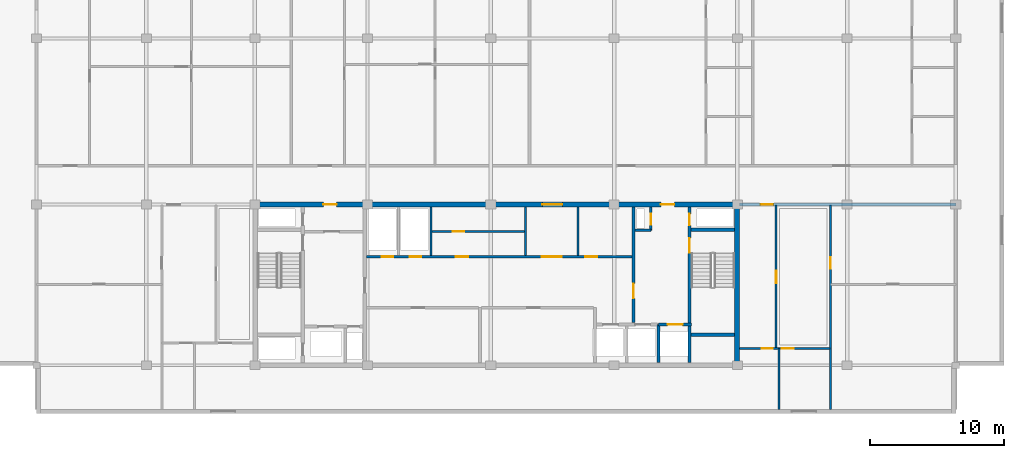
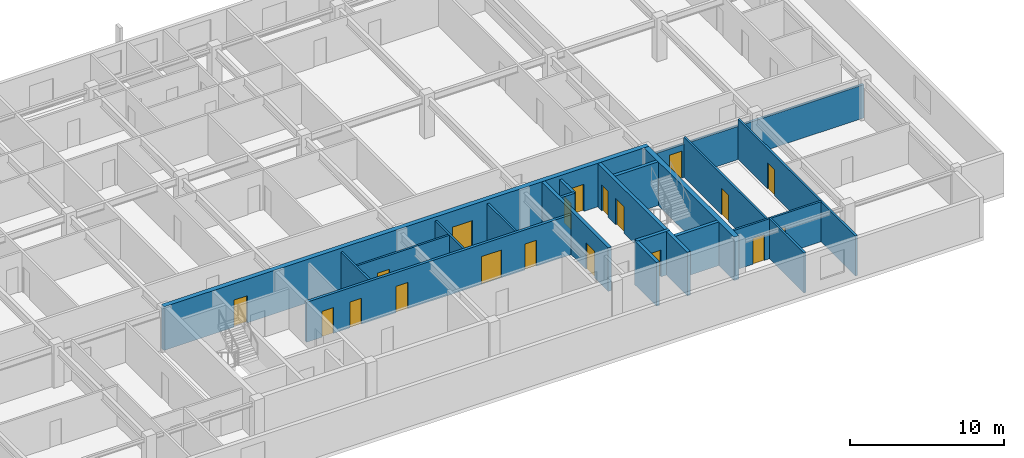
# One storey, part 5 of 11: 20 walls, 19 doors, 19 openings.
"""IFC4 building model written with IfcOpenShell, lengths in metres."""

from ifc_helpers import new_model, si_unit, direction, frame, frame_2d, origin, place, context, subcontext, project, spatial, rectangle, extrude, material, layer, layer_set, type_object, element, fill, save


model = new_model("IFC4")

# Units and contexts
model_context = context("Model", 3, precision=1e-05, world=origin(), true_north=direction((0.0, 1.0)))
body_context = subcontext(model_context, "Body", "Model", "MODEL_VIEW")
ifc_project = project(units=[si_unit("LENGTHUNIT", "METRE"), si_unit("AREAUNIT", "SQUARE_METRE"), si_unit("VOLUMEUNIT", "CUBIC_METRE"), si_unit("PLANEANGLEUNIT", "RADIAN"), si_unit("MASSUNIT", "GRAM", prefix="KILO")], contexts=[model_context])

# Site, building, storey
site_placement = place(None, origin())
site = spatial("IfcSite", under=ifc_project, at=site_placement, CompositionType="ELEMENT")
building_placement = place(site_placement, origin())
building = spatial("IfcBuilding", under=site, at=building_placement, Name="Korimba Cascade Residences", CompositionType="ELEMENT")
storey_placement = place(building_placement, frame((0.0, 0.0, 256.25)))
storey = spatial("IfcBuildingStorey", under=building, at=storey_placement, Name="L74", CompositionType="ELEMENT", Elevation=256.25)

# Wall
ifc_material_1 = material(Name="Concrete C65/80", Category="concrete")
ifc_layer_1 = layer(ifc_material_1, 0.35009765625)
ifc_layer_set_1 = layer_set([ifc_layer_1], Name="Concrete C65/80")
wall_type_1 = type_object("IfcWallType", Name="WAL-CORE-350", PredefinedType="SHEAR", material=ifc_layer_set_1)
wall_1_placement = place(storey_placement, frame((112.074951171875, 55.375, 0.0), z_axis=(0.0, 0.0, 1.0), x_axis=(0.0, 1.0, 0.0)))
element("IfcWall", 1, at=wall_1_placement, inside=storey, type_object=wall_type_1, Name="L74 Core Shear Wall CW-L74-T1-E", PredefinedType="SHEAR", context=body_context, shape_type="SweptSolid", body=[
    extrude(rectangle(XDim=11.64990234375, YDim=0.35009765625, at=frame_2d((5.824951171875, 0.0))), origin(), (0.0, 0.0, 1.0), 3.449951171875),
])

# Wall, openings, doors
wall_2_placement = place(storey_placement, frame((75.949951171875, 67.199951171875, 0.0), z_axis=(0.0, 0.0, 1.0), x_axis=(1.0, 0.0, 0.0)))
wall_2 = element("IfcWall", 2, at=wall_2_placement, inside=storey, type_object=wall_type_1, Name="L74 Core Shear Wall CW-L74-T1-N", PredefinedType="SHEAR", context=body_context, shape_type="SweptSolid", body=[
    extrude(rectangle(XDim=36.300048828125, YDim=0.35009765625, at=frame_2d((18.14990234375, 0.0))), origin(), (0.0, 0.0, 1.0), 3.449951171875),
])
opening_1_placement = place(wall_2_placement, frame((5.25, 0.0, 0.0)))
opening_1 = element("IfcOpeningElement", 3, at=opening_1_placement, cuts=wall_2, Name="Opening D-FD5", PredefinedType="OPENING", context=body_context, shape_type="SweptSolid", body=[
    extrude(rectangle(XDim=1.0, YDim=2.14990234375, at=frame_2d((0.5, 1.074951171875))), frame((0.0, 0.18505859375, 0.0), z_axis=(0.0, -1.0, 0.0), x_axis=(1.0, 0.0, 0.0)), (0.0, 0.0, 1.0), 0.3701171875),
])
opening_2_placement = place(wall_2_placement, frame((21.60009765625, 0.0, 0.0)))
opening_2 = element("IfcOpeningElement", 4, at=opening_2_placement, cuts=wall_2, Name="Opening D-FD8", PredefinedType="OPENING", context=body_context, shape_type="SweptSolid", body=[
    extrude(rectangle(XDim=1.5, YDim=2.199951171875, at=frame_2d((0.75, 1.10009765625))), frame((0.0, 0.18505859375, 0.0), z_axis=(0.0, -1.0, 0.0), x_axis=(1.0, 0.0, 0.0)), (0.0, 0.0, 1.0), 0.3701171875),
])
opening_3_placement = place(wall_2_placement, frame((30.449951171875, 0.0, 0.0)))
opening_3 = element("IfcOpeningElement", 5, at=opening_3_placement, cuts=wall_2, Name="Opening D-FD5", PredefinedType="OPENING", context=body_context, shape_type="SweptSolid", body=[
    extrude(rectangle(XDim=1.0, YDim=2.14990234375, at=frame_2d((0.5, 1.074951171875))), frame((0.0, 0.18505859375, 0.0), z_axis=(0.0, -1.0, 0.0), x_axis=(1.0, 0.0, 0.0)), (0.0, 0.0, 1.0), 0.3701171875),
])
ifc_material_2 = material(Name="Fire-Rated Acoustic Timber Vestibule Door", Category="wood")
door_type_1 = type_object("IfcDoorType", Name="DR-FD90-1000", OperationType="NOTDEFINED", PredefinedType="DOOR", material=ifc_material_2)
door_1_placement = place(opening_1_placement, origin())
door_1 = element("IfcDoor", 6, at=door_1_placement, inside=storey, type_object=door_type_1, Name="L74 T1 West Core Vestibule Fire Door", OperationType="SINGLE_SWING_RIGHT", OverallHeight=2.14990234375, OverallWidth=1.0, PredefinedType="DOOR", context=body_context, shape_type="SweptSolid", body=[
    extrude(rectangle(XDim=1.0, YDim=2.14990234375, at=frame_2d((0.5, 1.074951171875))), frame((0.0, 0.02490234375, 0.0), z_axis=(0.0, -1.0, 0.0), x_axis=(1.0, 0.0, 0.0)), (0.0, 0.0, 1.0), 0.050048828125),
])
fill(opening_1, door_1)
door_2_placement = place(opening_3_placement, origin())
door_2 = element("IfcDoor", 7, at=door_2_placement, inside=storey, type_object=door_type_1, Name="L74 T1 East Firefighting Vestibule Fire Door", OperationType="SINGLE_SWING_LEFT", OverallHeight=2.14990234375, OverallWidth=1.0, PredefinedType="DOOR", context=body_context, shape_type="SweptSolid", body=[
    extrude(rectangle(XDim=1.0, YDim=2.14990234375, at=frame_2d((0.5, 1.074951171875))), frame((0.0, 0.02490234375, 0.0), z_axis=(0.0, -1.0, 0.0), x_axis=(1.0, 0.0, 0.0)), (0.0, 0.0, 1.0), 0.050048828125),
])
fill(opening_3, door_2)
ifc_material_3 = material(Name="Fire-Rated Glazed Lift Lobby Double Door", Category="glass")
door_type_2 = type_object("IfcDoorType", Name="DR-FD90-1500", OperationType="NOTDEFINED", PredefinedType="DOOR", material=ifc_material_3)
door_3_placement = place(opening_2_placement, origin())
door_3 = element("IfcDoor", 8, at=door_3_placement, inside=storey, type_object=door_type_2, Name="L74 T1 Lift Lobby Fire Door", OperationType="DOUBLE_DOOR_SINGLE_SWING", OverallHeight=2.199951171875, OverallWidth=1.5, PredefinedType="DOOR", context=body_context, shape_type="SweptSolid", body=[
    extrude(rectangle(XDim=1.5, YDim=2.199951171875, at=frame_2d((0.75, 1.10009765625))), frame((0.0, 0.02490234375, 0.0), z_axis=(0.0, -1.0, 0.0), x_axis=(1.0, 0.0, 0.0)), (0.0, 0.0, 1.0), 0.050048828125),
])
fill(opening_2, door_3)

# Wall, opening, door
ifc_material_4 = material(Name="Precast concrete C40/50", Category="concrete")
ifc_layer_2 = layer(ifc_material_4, 0.199951171875)
ifc_layer_set_2 = layer_set([ifc_layer_2], Name="Precast concrete C40/50")
wall_type_2 = type_object("IfcWallType", Name="WAL-IT-200", PredefinedType="PARTITIONING", material=ifc_layer_set_2)
wall_3_placement = place(storey_placement, frame((112.25, 67.199951171875, 0.0), z_axis=(0.0, 0.0, 1.0), x_axis=(1.0, 0.0, 0.0)))
wall_3 = element("IfcWall", 9, at=wall_3_placement, inside=storey, type_object=wall_type_2, Name="L74 Partition Wall WAL-L74-T1-FE-N", PredefinedType="PARTITIONING", context=body_context, shape_type="SweptSolid", body=[
    extrude(rectangle(XDim=16.14990234375, YDim=0.199951171875, at=frame_2d((8.074951171875, 0.0))), origin(), (0.0, 0.0, 1.0), 2.63330078125),
])
opening_4_placement = place(wall_3_placement, frame((1.580078125, 0.0, 0.0)))
opening_4 = element("IfcOpeningElement", 10, at=opening_4_placement, cuts=wall_3, Name="Opening D-UN1", PredefinedType="OPENING", context=body_context, shape_type="SweptSolid", body=[
    extrude(rectangle(XDim=0.949951171875, YDim=2.14990234375, at=frame_2d((0.47509765625, 1.074951171875))), frame((0.0, 0.10986328125, 0.0), z_axis=(0.0, -1.0, 0.0), x_axis=(1.0, 0.0, 0.0)), (0.0, 0.0, 1.0), 0.219970703125),
])
ifc_material_5 = material(Name="Fire-Rated Hardwood Apartment Entrance Door", Category="wood")
door_type_3 = type_object("IfcDoorType", Name="DR-FD60-950", OperationType="NOTDEFINED", PredefinedType="DOOR", material=ifc_material_5)
door_4_placement = place(opening_4_placement, origin())
door_4 = element("IfcDoor", 11, at=door_4_placement, inside=storey, type_object=door_type_3, Name="L74-T1-FE Entrance Door", OperationType="SINGLE_SWING_RIGHT", OverallHeight=2.14990234375, OverallWidth=0.949951171875, PredefinedType="DOOR", context=body_context, shape_type="SweptSolid", body=[
    extrude(rectangle(XDim=0.949951171875, YDim=2.14990234375, at=frame_2d((0.47509765625, 1.074951171875))), frame((0.0, 0.02490234375, 0.0), z_axis=(0.0, -1.0, 0.0), x_axis=(1.0, 0.0, 0.0)), (0.0, 0.0, 1.0), 0.050048828125),
])
fill(opening_4, door_4)

# Wall
ifc_material_6 = material(Name="Insulated Acoustic Stud Partition", Category="gypsum")
ifc_layer_3 = layer(ifc_material_6, 0.14990234375)
ifc_layer_set_3 = layer_set([ifc_layer_3], Name="Insulated Acoustic Stud Partition")
wall_type_3 = type_object("IfcWallType", Name="WAL-PART-150", PredefinedType="PARTITIONING", material=ifc_layer_set_3)
wall_4_placement = place(storey_placement, frame((89.25, 63.39990234375, 0.0), z_axis=(0.0, 0.0, 1.0), x_axis=(0.0, 1.0, 0.0)))
element("IfcWall", 12, at=wall_4_placement, inside=storey, type_object=wall_type_3, Name="L74 Partition Wall CW-L74-T1-PRDIV", PredefinedType="PARTITIONING", context=body_context, shape_type="SweptSolid", body=[
    extrude(rectangle(XDim=3.60009765625, YDim=0.14990234375, at=frame_2d((1.800048828125, 0.0))), origin(), (0.0, 0.0, 1.0), 3.169921875),
])

# Wall, opening, door
wall_5_placement = place(storey_placement, frame((89.25, 65.199951171875, 0.0), z_axis=(0.0, 0.0, 1.0), x_axis=(1.0, 0.0, 0.0)))
wall_5 = element("IfcWall", 13, at=wall_5_placement, inside=storey, type_object=wall_type_3, Name="L74 Partition Wall CW-L74-T1-CA2HZ", PredefinedType="PARTITIONING", context=body_context, shape_type="SweptSolid", body=[
    extrude(rectangle(XDim=7.050048828125, YDim=0.14990234375, at=frame_2d((3.52490234375, 0.0))), origin(), (0.0, 0.0, 1.0), 3.169921875),
])
opening_5_placement = place(wall_5_placement, frame((1.60009765625, 0.0, 0.0)))
opening_5 = element("IfcOpeningElement", 14, at=opening_5_placement, cuts=wall_5, Name="Opening D-IN2", PredefinedType="OPENING", context=body_context, shape_type="SweptSolid", body=[
    extrude(rectangle(XDim=0.8798828125, YDim=2.06005859375, at=frame_2d((0.43994140625, 1.030029296875))), frame((0.0, 0.0849609375, 0.0), z_axis=(0.0, -1.0, 0.0), x_axis=(1.0, 0.0, 0.0)), (0.0, 0.0, 1.0), 0.169921875),
])
ifc_material_7 = material(Name="Acoustic Timber Bedroom Door", Category="wood")
door_type_4 = type_object("IfcDoorType", Name="DR-INT-880", OperationType="NOTDEFINED", PredefinedType="DOOR", material=ifc_material_7)
door_5_placement = place(opening_5_placement, origin())
door_5 = element("IfcDoor", 15, at=door_5_placement, inside=storey, type_object=door_type_4, Name="L74 Pram Store Door", OperationType="SINGLE_SWING_RIGHT", OverallHeight=2.06005859375, OverallWidth=0.8798828125, PredefinedType="DOOR", context=body_context, shape_type="SweptSolid", body=[
    extrude(rectangle(XDim=0.8798828125, YDim=2.06005859375, at=frame_2d((0.43994140625, 1.030029296875))), frame((0.0, 0.02490234375, 0.0), z_axis=(0.0, -1.0, 0.0), x_axis=(1.0, 0.0, 0.0)), (0.0, 0.0, 1.0), 0.050048828125),
])
fill(opening_5, door_5)

# Walls
for number, where, z_axis, x_axis, name in (
    (16, (96.300048828125, 63.39990234375, 0.0), (0.0, 0.0, 1.0), (0.0, 1.0, 0.0), "L74 Partition Wall CW-L74-T1-THW"),
    (17, (100.199951171875, 63.39990234375, 0.0), (0.0, 0.0, 1.0), (0.0, 1.0, 0.0), "L74 Partition Wall CW-L74-T1-THE"),
):
    element("IfcWall", number, at=place(storey_placement, frame(where, z_axis=z_axis, x_axis=x_axis)), inside=storey, type_object=wall_type_3, Name=name, PredefinedType="PARTITIONING", context=body_context, shape_type="SweptSolid", body=[
        extrude(rectangle(XDim=3.60009765625, YDim=0.14990234375, at=frame_2d((1.800048828125, 0.0))), origin(), (0.0, 0.0, 1.0), 3.169921875),
    ])

# Wall, opening, door
wall_6_placement = place(storey_placement, frame((119.050048828125, 51.89990234375, 0.0), z_axis=(0.0, 0.0, 1.0), x_axis=(0.0, 1.0, 0.0)))
wall_6 = element("IfcWall", 18, at=wall_6_placement, inside=storey, type_object=wall_type_3, Name="L74 Partition Wall WAL-L74-T1-FE-STV", PredefinedType="PARTITIONING", context=body_context, shape_type="SweptSolid", body=[
    extrude(rectangle(XDim=15.25, YDim=0.14990234375, at=frame_2d((7.625, 0.0))), origin(), (0.0, 0.0, 1.0), 3.169921875),
])
opening_6_placement = place(wall_6_placement, frame((10.5, 0.0, 0.0)))
opening_6 = element("IfcOpeningElement", 19, at=opening_6_placement, cuts=wall_6, Name="Opening D-IN2", PredefinedType="OPENING", context=body_context, shape_type="SweptSolid", body=[
    extrude(rectangle(XDim=0.8798828125, YDim=2.06005859375, at=frame_2d((0.43994140625, 1.030029296875))), frame((0.0, 0.0849609375, 0.0), z_axis=(0.0, -1.0, 0.0), x_axis=(1.0, 0.0, 0.0)), (0.0, 0.0, 1.0), 0.169921875),
])
door_6_placement = place(opening_6_placement, origin())
door_6 = element("IfcDoor", 20, at=door_6_placement, inside=storey, type_object=door_type_4, Name="L74-T1-FE Study Door", OperationType="SINGLE_SWING_RIGHT", OverallHeight=2.06005859375, OverallWidth=0.8798828125, PredefinedType="DOOR", context=body_context, shape_type="SweptSolid", body=[
    extrude(rectangle(XDim=0.8798828125, YDim=2.06005859375, at=frame_2d((0.43994140625, 1.030029296875))), frame((0.0, 0.02490234375, 0.0), z_axis=(0.0, -1.0, 0.0), x_axis=(1.0, 0.0, 0.0)), (0.0, 0.0, 1.0), 0.050048828125),
])
fill(opening_6, door_6)

wall_7_placement = place(storey_placement, frame((115.0, 56.449951171875, 0.0), z_axis=(0.0, 0.0, 1.0), x_axis=(0.0, 1.0, 0.0)))
wall_7 = element("IfcWall", 21, at=wall_7_placement, inside=storey, type_object=wall_type_3, Name="L74 Partition Wall WAL-L74-T1-FE-VN", PredefinedType="PARTITIONING", context=body_context, shape_type="SweptSolid", body=[
    extrude(rectangle(XDim=10.699951171875, YDim=0.14990234375, at=frame_2d((5.35009765625, 0.0))), origin(), (0.0, 0.0, 1.0), 3.169921875),
])
opening_7_placement = place(wall_7_placement, frame((4.889892578125, 0.0, 0.0)))
opening_7 = element("IfcOpeningElement", 22, at=opening_7_placement, cuts=wall_7, Name="Opening D-IN1", PredefinedType="OPENING", context=body_context, shape_type="SweptSolid", body=[
    extrude(rectangle(XDim=0.919921875, YDim=2.080078125, at=frame_2d((0.4599609375, 1.0400390625))), frame((0.0, 0.0849609375, 0.0), z_axis=(0.0, -1.0, 0.0), x_axis=(1.0, 0.0, 0.0)), (0.0, 0.0, 1.0), 0.169921875),
])
ifc_material_8 = material(Name="Acoustic Timber Living Door", Category="wood")
door_type_5 = type_object("IfcDoorType", Name="DR-INT-920", OperationType="NOTDEFINED", PredefinedType="DOOR", material=ifc_material_8)
door_7_placement = place(opening_7_placement, origin())
door_7 = element("IfcDoor", 23, at=door_7_placement, inside=storey, type_object=door_type_5, Name="L74-T1-FE Living Door", OperationType="SINGLE_SWING_LEFT", OverallHeight=2.080078125, OverallWidth=0.919921875, PredefinedType="DOOR", context=body_context, shape_type="SweptSolid", body=[
    extrude(rectangle(XDim=0.919921875, YDim=2.080078125, at=frame_2d((0.4599609375, 1.0400390625))), frame((0.0, 0.02490234375, 0.0), z_axis=(0.0, -1.0, 0.0), x_axis=(1.0, 0.0, 0.0)), (0.0, 0.0, 1.0), 0.050048828125),
])
fill(opening_7, door_7)

# Wall
wall_8_placement = place(storey_placement, frame((115.199951171875, 51.89990234375, 0.0), z_axis=(0.0, 0.0, 1.0), x_axis=(0.0, 1.0, 0.0)))
element("IfcWall", 24, at=wall_8_placement, inside=storey, type_object=wall_type_3, Name="L74 Partition Wall WAL-L74-T1-FE-VS", PredefinedType="PARTITIONING", context=body_context, shape_type="SweptSolid", body=[
    extrude(rectangle(XDim=4.550048828125, YDim=0.14990234375, at=frame_2d((2.27490234375, 0.0))), origin(), (0.0, 0.0, 1.0), 3.169921875),
])

# Wall, openings, doors
wall_9_placement = place(storey_placement, frame((112.27001953125, 56.449951171875, 0.0), z_axis=(0.0, 0.0, 1.0), x_axis=(1.0, 0.0, 0.0)))
wall_9 = element("IfcWall", 25, at=wall_9_placement, inside=storey, type_object=wall_type_3, Name="L74 Partition Wall WAL-L74-T1-FE-H", PredefinedType="PARTITIONING", context=body_context, shape_type="SweptSolid", body=[
    extrude(rectangle(XDim=6.760009765625, YDim=0.14990234375, at=frame_2d((3.3798828125, 0.0))), origin(), (0.0, 0.0, 1.0), 3.169921875),
])
opening_8_placement = place(wall_9_placement, frame((1.6396484375, 0.0, 0.0)))
opening_8 = element("IfcOpeningElement", 26, at=opening_8_placement, cuts=wall_9, Name="Opening D-BT1", PredefinedType="OPENING", context=body_context, shape_type="SweptSolid", body=[
    extrude(rectangle(XDim=0.840087890625, YDim=2.0400390625, at=frame_2d((0.419921875, 1.02001953125))), frame((0.0, 0.0849609375, 0.0), z_axis=(0.0, -1.0, 0.0), x_axis=(1.0, 0.0, 0.0)), (0.0, 0.0, 1.0), 0.169921875),
])
opening_9_placement = place(wall_9_placement, frame((3.160400390625, 0.0, 0.0)))
opening_9 = element("IfcOpeningElement", 27, at=opening_9_placement, cuts=wall_9, Name="Opening D-IN2", PredefinedType="OPENING", context=body_context, shape_type="SweptSolid", body=[
    extrude(rectangle(XDim=0.8798828125, YDim=2.06005859375, at=frame_2d((0.43994140625, 1.030029296875))), frame((0.0, 0.0849609375, 0.0), z_axis=(0.0, -1.0, 0.0), x_axis=(1.0, 0.0, 0.0)), (0.0, 0.0, 1.0), 0.169921875),
])
ifc_material_9 = material(Name="Moisture-Resistant Bathroom Timber Door", Category="wood")
door_type_6 = type_object("IfcDoorType", Name="DR-INT-850", OperationType="NOTDEFINED", PredefinedType="DOOR", material=ifc_material_9)
door_8_placement = place(opening_8_placement, origin())
door_8 = element("IfcDoor", 28, at=door_8_placement, inside=storey, type_object=door_type_6, Name="L74-T1-FE Bathroom Door", OperationType="SINGLE_SWING_RIGHT", OverallHeight=2.0400390625, OverallWidth=0.840087890625, PredefinedType="DOOR", context=body_context, shape_type="SweptSolid", body=[
    extrude(rectangle(XDim=0.840087890625, YDim=2.0400390625, at=frame_2d((0.419921875, 1.02001953125))), frame((0.0, 0.02490234375, 0.0), z_axis=(0.0, -1.0, 0.0), x_axis=(1.0, 0.0, 0.0)), (0.0, 0.0, 1.0), 0.050048828125),
])
fill(opening_8, door_8)
door_9_placement = place(opening_9_placement, origin())
door_9 = element("IfcDoor", 29, at=door_9_placement, inside=storey, type_object=door_type_4, Name="L74-T1-FE Bedroom Door", OperationType="SINGLE_SWING_LEFT", OverallHeight=2.06005859375, OverallWidth=0.8798828125, PredefinedType="DOOR", context=body_context, shape_type="SweptSolid", body=[
    extrude(rectangle(XDim=0.8798828125, YDim=2.06005859375, at=frame_2d((0.43994140625, 1.030029296875))), frame((0.0, 0.02490234375, 0.0), z_axis=(0.0, -1.0, 0.0), x_axis=(1.0, 0.0, 0.0)), (0.0, 0.0, 1.0), 0.050048828125),
])
fill(opening_9, door_9)

ifc_material_10 = material(Name="Concrete C40/50", Category="concrete")
ifc_layer_4 = layer(ifc_material_10, 0.199951171875)
ifc_layer_set_4 = layer_set([ifc_layer_4], Name="Concrete C40/50")
wall_type_4 = type_object("IfcWallType", Name="WAL-PART-200", PredefinedType="PARTITIONING", material=ifc_layer_set_4)
wall_10_placement = place(storey_placement, frame((84.419921875, 63.300048828125, 0.0), z_axis=(0.0, 0.0, 1.0), x_axis=(1.0, 0.0, 0.0)))
wall_10 = element("IfcWall", 30, at=wall_10_placement, inside=storey, type_object=wall_type_4, Name="L74 Partition Wall CW-L74-T1-SRVROW", PredefinedType="PARTITIONING", context=body_context, shape_type="SweptSolid", body=[
    extrude(rectangle(XDim=19.830078125, YDim=0.199951171875, at=frame_2d((9.9150390625, 0.0))), origin(), (0.0, 0.0, 1.0), 3.169921875),
])
opening_10_placement = place(wall_10_placement, frame((1.14990234375, 0.0, 0.0)))
opening_10 = element("IfcOpeningElement", 31, at=opening_10_placement, cuts=wall_10, Name="Opening D-RS1", PredefinedType="OPENING", context=body_context, shape_type="SweptSolid", body=[
    extrude(rectangle(XDim=0.85009765625, YDim=2.050048828125, at=frame_2d((0.425048828125, 1.02490234375))), frame((0.0, 0.10986328125, 0.0), z_axis=(0.0, -1.0, 0.0), x_axis=(1.0, 0.0, 0.0)), (0.0, 0.0, 1.0), 0.219970703125),
])
opening_11_placement = place(wall_10_placement, frame((3.25, 0.0, 0.0)))
opening_11 = element("IfcOpeningElement", 32, at=opening_11_placement, cuts=wall_10, Name="Opening D-RS1", PredefinedType="OPENING", context=body_context, shape_type="SweptSolid", body=[
    extrude(rectangle(XDim=0.85009765625, YDim=2.050048828125, at=frame_2d((0.425048828125, 1.02490234375))), frame((0.0, 0.10986328125, 0.0), z_axis=(0.0, -1.0, 0.0), x_axis=(1.0, 0.0, 0.0)), (0.0, 0.0, 1.0), 0.219970703125),
])
opening_12_placement = place(wall_10_placement, frame((13.080078125, 0.0, 0.0)))
opening_12 = element("IfcOpeningElement", 33, at=opening_12_placement, cuts=wall_10, Name="Opening D-FD8", PredefinedType="OPENING", context=body_context, shape_type="SweptSolid", body=[
    extrude(rectangle(XDim=1.5, YDim=2.199951171875, at=frame_2d((0.75, 1.10009765625))), frame((0.0, 0.10986328125, 0.0), z_axis=(0.0, -1.0, 0.0), x_axis=(1.0, 0.0, 0.0)), (0.0, 0.0, 1.0), 0.219970703125),
])
opening_13_placement = place(wall_10_placement, frame((6.679931640625, 0.0, 0.0)))
opening_13 = element("IfcOpeningElement", 34, at=opening_13_placement, cuts=wall_10, Name="Opening D-IN1", PredefinedType="OPENING", context=body_context, shape_type="SweptSolid", body=[
    extrude(rectangle(XDim=0.919921875, YDim=2.080078125, at=frame_2d((0.4599609375, 1.0400390625))), frame((0.0, 0.10986328125, 0.0), z_axis=(0.0, -1.0, 0.0), x_axis=(1.0, 0.0, 0.0)), (0.0, 0.0, 1.0), 0.219970703125),
])
opening_14_placement = place(wall_10_placement, frame((16.330078125, 0.0, 0.0)))
opening_14 = element("IfcOpeningElement", 35, at=opening_14_placement, cuts=wall_10, Name="Opening D-IN2", PredefinedType="OPENING", context=body_context, shape_type="SweptSolid", body=[
    extrude(rectangle(XDim=0.8798828125, YDim=2.06005859375, at=frame_2d((0.43994140625, 1.030029296875))), frame((0.0, 0.10986328125, 0.0), z_axis=(0.0, -1.0, 0.0), x_axis=(1.0, 0.0, 0.0)), (0.0, 0.0, 1.0), 0.219970703125),
])
ifc_material_11 = material(Name="Fire-Rated Steel Riser Access Door", Category="steel")
door_type_7 = type_object("IfcDoorType", Name="DR-FD60-850", OperationType="NOTDEFINED", PredefinedType="DOOR", material=ifc_material_11)
door_10_placement = place(opening_10_placement, origin())
door_10 = element("IfcDoor", 36, at=door_10_placement, inside=storey, type_object=door_type_7, Name="L74 Electrical Riser Door", OperationType="SINGLE_SWING_LEFT", OverallHeight=2.050048828125, OverallWidth=0.85009765625, PredefinedType="DOOR", context=body_context, shape_type="SweptSolid", body=[
    extrude(rectangle(XDim=0.85009765625, YDim=2.050048828125, at=frame_2d((0.425048828125, 1.02490234375))), frame((0.0, 0.02490234375, 0.0), z_axis=(0.0, -1.0, 0.0), x_axis=(1.0, 0.0, 0.0)), (0.0, 0.0, 1.0), 0.050048828125),
])
fill(opening_10, door_10)
door_11_placement = place(opening_11_placement, origin())
door_11 = element("IfcDoor", 37, at=door_11_placement, inside=storey, type_object=door_type_7, Name="L74 Plumbing Riser Door", OperationType="SINGLE_SWING_RIGHT", OverallHeight=2.050048828125, OverallWidth=0.85009765625, PredefinedType="DOOR", context=body_context, shape_type="SweptSolid", body=[
    extrude(rectangle(XDim=0.85009765625, YDim=2.050048828125, at=frame_2d((0.425048828125, 1.02490234375))), frame((0.0, 0.02490234375, 0.0), z_axis=(0.0, -1.0, 0.0), x_axis=(1.0, 0.0, 0.0)), (0.0, 0.0, 1.0), 0.050048828125),
])
fill(opening_11, door_11)
door_12_placement = place(opening_12_placement, origin())
door_12 = element("IfcDoor", 38, at=door_12_placement, inside=storey, type_object=door_type_2, Name="L74 Lift Lobby Foyer Archway Door", OperationType="DOUBLE_DOOR_SINGLE_SWING", OverallHeight=2.199951171875, OverallWidth=1.5, PredefinedType="DOOR", context=body_context, shape_type="SweptSolid", body=[
    extrude(rectangle(XDim=1.5, YDim=2.199951171875, at=frame_2d((0.75, 1.10009765625))), frame((0.0, 0.02490234375, 0.0), z_axis=(0.0, -1.0, 0.0), x_axis=(1.0, 0.0, 0.0)), (0.0, 0.0, 1.0), 0.050048828125),
])
fill(opening_12, door_12)
door_13_placement = place(opening_14_placement, origin())
door_13 = element("IfcDoor", 39, at=door_13_placement, inside=storey, type_object=door_type_4, Name="L74 Staff WC Door", OperationType="SINGLE_SWING_RIGHT", OverallHeight=2.06005859375, OverallWidth=0.8798828125, PredefinedType="DOOR", context=body_context, shape_type="SweptSolid", body=[
    extrude(rectangle(XDim=0.8798828125, YDim=2.06005859375, at=frame_2d((0.43994140625, 1.030029296875))), frame((0.0, 0.02490234375, 0.0), z_axis=(0.0, -1.0, 0.0), x_axis=(1.0, 0.0, 0.0)), (0.0, 0.0, 1.0), 0.050048828125),
])
fill(opening_14, door_13)
door_14_placement = place(opening_13_placement, origin())
door_14 = element("IfcDoor", 40, at=door_14_placement, inside=storey, type_object=door_type_5, Name="L74 Locker Room Door", OperationType="SINGLE_SWING_LEFT", OverallHeight=2.080078125, OverallWidth=0.919921875, PredefinedType="DOOR", context=body_context, shape_type="SweptSolid", body=[
    extrude(rectangle(XDim=0.919921875, YDim=2.080078125, at=frame_2d((0.4599609375, 1.0400390625))), frame((0.0, 0.02490234375, 0.0), z_axis=(0.0, -1.0, 0.0), x_axis=(1.0, 0.0, 0.0)), (0.0, 0.0, 1.0), 0.050048828125),
])
fill(opening_13, door_14)

# Wall
wall_11_placement = place(storey_placement, frame((104.449951171875, 65.280029296875, 0.0), z_axis=(0.0, 0.0, 1.0), x_axis=(1.0, 0.0, 0.0)))
element("IfcWall", 41, at=wall_11_placement, inside=storey, type_object=wall_type_4, Name="L74 Partition Wall CW-L74-T1-HYDW2S", PredefinedType="PARTITIONING", context=body_context, shape_type="SweptSolid", body=[
    extrude(rectangle(XDim=1.199951171875, YDim=0.199951171875, at=frame_2d((0.60009765625, 0.0))), origin(), (0.0, 0.0, 1.0), 3.169921875),
])

# Wall, opening, door
wall_12_placement = place(storey_placement, frame((105.64990234375, 65.280029296875, 0.0), z_axis=(0.0, 0.0, 1.0), x_axis=(0.0, 1.0, 0.0)))
wall_12 = element("IfcWall", 42, at=wall_12_placement, inside=storey, type_object=wall_type_4, Name="L74 Partition Wall CW-L74-T1-HYDW2E", PredefinedType="PARTITIONING", context=body_context, shape_type="SweptSolid", body=[
    extrude(rectangle(XDim=1.719970703125, YDim=0.199951171875, at=frame_2d((0.85986328125, 0.0))), origin(), (0.0, 0.0, 1.0), 3.169921875),
])
opening_15_placement = place(wall_12_placement, frame((0.39990234375, 0.0, 0.0)))
opening_15 = element("IfcOpeningElement", 43, at=opening_15_placement, cuts=wall_12, Name="Opening D-RS1", PredefinedType="OPENING", context=body_context, shape_type="SweptSolid", body=[
    extrude(rectangle(XDim=0.85009765625, YDim=2.050048828125, at=frame_2d((0.425048828125, 1.02490234375))), frame((0.0, 0.10986328125, 0.0), z_axis=(0.0, -1.0, 0.0), x_axis=(1.0, 0.0, 0.0)), (0.0, 0.0, 1.0), 0.219970703125),
])
door_15_placement = place(opening_15_placement, origin())
door_15 = element("IfcDoor", 44, at=door_15_placement, inside=storey, type_object=door_type_7, Name="L74 East Hydrant Door", OperationType="SINGLE_SWING_LEFT", OverallHeight=2.050048828125, OverallWidth=0.85009765625, PredefinedType="DOOR", context=body_context, shape_type="SweptSolid", body=[
    extrude(rectangle(XDim=0.85009765625, YDim=2.050048828125, at=frame_2d((0.425048828125, 1.02490234375))), frame((0.0, 0.02490234375, 0.0), z_axis=(0.0, -1.0, 0.0), x_axis=(1.0, 0.0, 0.0)), (0.0, 0.0, 1.0), 0.050048828125),
])
fill(opening_15, door_15)

# Wall
ifc_material_12 = material(Name="Concrete C50/60", Category="concrete")
ifc_layer_5 = layer(ifc_material_12, 0.25)
ifc_layer_set_5 = layer_set([ifc_layer_5], Name="Concrete C50/60")
wall_type_5 = type_object("IfcWallType", Name="WAL-SHAFT-250", PredefinedType="SHEAR", material=ifc_layer_set_5)
wall_13_placement = place(storey_placement, frame((106.219970703125, 55.39990234375, 0.0), z_axis=(0.0, 0.0, 1.0), x_axis=(0.0, 1.0, 0.0)))
element("IfcWall", 45, at=wall_13_placement, inside=storey, type_object=wall_type_5, Name="L74 Core Shear Wall CW-L74-T1-FF2W", PredefinedType="SHEAR", context=body_context, shape_type="SweptSolid", body=[
    extrude(rectangle(XDim=2.85009765625, YDim=0.25, at=frame_2d((1.425048828125, 0.0))), origin(), (0.0, 0.0, 1.0), 3.449951171875),
])

# Wall, opening, door
wall_14_placement = place(storey_placement, frame((106.219970703125, 58.25, 0.0), z_axis=(0.0, 0.0, 1.0), x_axis=(1.0, 0.0, 0.0)))
wall_14 = element("IfcWall", 46, at=wall_14_placement, inside=storey, type_object=wall_type_5, Name="L74 Core Shear Wall CW-L74-T1-FF2N", PredefinedType="SHEAR", context=body_context, shape_type="SweptSolid", body=[
    extrude(rectangle(XDim=2.4599609375, YDim=0.25, at=frame_2d((1.22998046875, 0.0))), origin(), (0.0, 0.0, 1.0), 3.449951171875),
])
opening_16_placement = place(wall_14_placement, frame((0.669921875, 0.0, 0.0)))
opening_16 = element("IfcOpeningElement", 47, at=opening_16_placement, cuts=wall_14, Name="Opening LD-01", PredefinedType="OPENING", context=body_context, shape_type="SweptSolid", body=[
    extrude(rectangle(XDim=1.1201171875, YDim=2.1201171875, at=frame_2d((0.56005859375, 1.06005859375))), frame((0.0, 0.135009765625, 0.0), z_axis=(0.0, -1.0, 0.0), x_axis=(1.0, 0.0, 0.0)), (0.0, 0.0, 1.0), 0.27001953125),
])
ifc_material_13 = material(Name="Stainless Steel Lift Landing Sliding Door", Category="steel")
door_type_8 = type_object("IfcDoorType", Name="DR-LIFT-1100", OperationType="NOTDEFINED", PredefinedType="DOOR", material=ifc_material_13)
door_16_placement = place(opening_16_placement, origin())
door_16 = element("IfcDoor", 48, at=door_16_placement, inside=storey, type_object=door_type_8, Name="L74 Firefighting Lift Landing Door FFL-W2", OperationType="SLIDING_TO_RIGHT", OverallHeight=2.1201171875, OverallWidth=1.1201171875, PredefinedType="DOOR", context=body_context, shape_type="SweptSolid", body=[
    extrude(rectangle(XDim=1.1201171875, YDim=2.1201171875, at=frame_2d((0.56005859375, 1.06005859375))), frame((0.0, 0.02490234375, 0.0), z_axis=(0.0, -1.0, 0.0), x_axis=(1.0, 0.0, 0.0)), (0.0, 0.0, 1.0), 0.050048828125),
])
fill(opening_16, door_16)

wall_15_placement = place(storey_placement, frame((104.35009765625, 58.39990234375, 0.0), z_axis=(0.0, 0.0, 1.0), x_axis=(0.0, 1.0, 0.0)))
wall_15 = element("IfcWall", 49, at=wall_15_placement, inside=storey, type_object=wall_type_5, Name="L74 Core Shear Wall CW-L74-T1-LLEV", PredefinedType="SHEAR", context=body_context, shape_type="SweptSolid", body=[
    extrude(rectangle(XDim=8.60009765625, YDim=0.25, at=frame_2d((4.300048828125, 0.0))), origin(), (0.0, 0.0, 1.0), 3.449951171875),
])
opening_17_placement = place(wall_15_placement, frame((1.800048828125, 0.0, 0.0)))
opening_17 = element("IfcOpeningElement", 50, at=opening_17_placement, cuts=wall_15, Name="Opening D-FD1", PredefinedType="OPENING", context=body_context, shape_type="SweptSolid", body=[
    extrude(rectangle(XDim=1.10009765625, YDim=2.10009765625, at=frame_2d((0.550048828125, 1.050048828125))), frame((0.0, 0.135009765625, 0.0), z_axis=(0.0, -1.0, 0.0), x_axis=(1.0, 0.0, 0.0)), (0.0, 0.0, 1.0), 0.27001953125),
])
ifc_material_14 = material(Name="Fire-Rated Steel Core Door", Category="steel")
door_type_9 = type_object("IfcDoorType", Name="DR-FD120-1100", OperationType="NOTDEFINED", PredefinedType="DOOR", material=ifc_material_14)
door_17_placement = place(opening_17_placement, origin())
door_17 = element("IfcDoor", 51, at=door_17_placement, inside=storey, type_object=door_type_9, Name="L74 Lift Lobby to East Firefighting Lobby Door", OperationType="SINGLE_SWING_RIGHT", OverallHeight=2.10009765625, OverallWidth=1.10009765625, PredefinedType="DOOR", context=body_context, shape_type="SweptSolid", body=[
    extrude(rectangle(XDim=1.10009765625, YDim=2.10009765625, at=frame_2d((0.550048828125, 1.050048828125))), frame((0.0, 0.02490234375, 0.0), z_axis=(0.0, -1.0, 0.0), x_axis=(1.0, 0.0, 0.0)), (0.0, 0.0, 1.0), 0.050048828125),
])
fill(opening_17, door_17)

# Wall, openings, doors
wall_16_placement = place(storey_placement, frame((108.534912109375, 55.39990234375, 0.0), z_axis=(0.0, 0.0, 1.0), x_axis=(0.0, 1.0, 0.0)))
wall_16 = element("IfcWall", 52, at=wall_16_placement, inside=storey, type_object=wall_type_5, Name="L74 Core Shear Wall CW-L74-T1-STW2W", PredefinedType="SHEAR", context=body_context, shape_type="SweptSolid", body=[
    extrude(rectangle(XDim=11.60009765625, YDim=0.25, at=frame_2d((5.800048828125, 0.0))), origin(), (0.0, 0.0, 1.0), 3.449951171875),
])
opening_18_placement = place(wall_16_placement, frame((8.199951171875, 0.0, 0.0)))
opening_18 = element("IfcOpeningElement", 53, at=opening_18_placement, cuts=wall_16, Name="Opening D-FD1", PredefinedType="OPENING", context=body_context, shape_type="SweptSolid", body=[
    extrude(rectangle(XDim=1.10009765625, YDim=2.10009765625, at=frame_2d((0.550048828125, 1.050048828125))), frame((0.0, 0.135009765625, 0.0), z_axis=(0.0, -1.0, 0.0), x_axis=(1.0, 0.0, 0.0)), (0.0, 0.0, 1.0), 0.27001953125),
])
opening_19_placement = place(wall_16_placement, frame((10.25, 0.0, 0.0)))
opening_19 = element("IfcOpeningElement", 54, at=opening_19_placement, cuts=wall_16, Name="Opening D-RS1", PredefinedType="OPENING", context=body_context, shape_type="SweptSolid", body=[
    extrude(rectangle(XDim=0.85009765625, YDim=2.050048828125, at=frame_2d((0.425048828125, 1.02490234375))), frame((0.0, 0.135009765625, 0.0), z_axis=(0.0, -1.0, 0.0), x_axis=(1.0, 0.0, 0.0)), (0.0, 0.0, 1.0), 0.27001953125),
])
door_18_placement = place(opening_18_placement, origin())
door_18 = element("IfcDoor", 55, at=door_18_placement, inside=storey, type_object=door_type_9, Name="L74 Fire Stair ST-W2 Door", OperationType="SINGLE_SWING_LEFT", OverallHeight=2.10009765625, OverallWidth=1.10009765625, PredefinedType="DOOR", context=body_context, shape_type="SweptSolid", body=[
    extrude(rectangle(XDim=1.10009765625, YDim=2.10009765625, at=frame_2d((0.550048828125, 1.050048828125))), frame((0.0, 0.02490234375, 0.0), z_axis=(0.0, -1.0, 0.0), x_axis=(1.0, 0.0, 0.0)), (0.0, 0.0, 1.0), 0.050048828125),
])
fill(opening_18, door_18)
door_19_placement = place(opening_19_placement, origin())
door_19 = element("IfcDoor", 56, at=door_19_placement, inside=storey, type_object=door_type_7, Name="L74 East Riser Door", OperationType="SINGLE_SWING_RIGHT", OverallHeight=2.050048828125, OverallWidth=0.85009765625, PredefinedType="DOOR", context=body_context, shape_type="SweptSolid", body=[
    extrude(rectangle(XDim=0.85009765625, YDim=2.050048828125, at=frame_2d((0.425048828125, 1.02490234375))), frame((0.0, 0.02490234375, 0.0), z_axis=(0.0, -1.0, 0.0), x_axis=(1.0, 0.0, 0.0)), (0.0, 0.0, 1.0), 0.050048828125),
])
fill(opening_19, door_19)

# Walls
for number, where, z_axis, x_axis, name in (
    (57, (108.659912109375, 57.47509765625, 0.0), (0.0, 0.0, 1.0), (1.0, 0.0, 0.0), "L74 Core Shear Wall CW-L74-T1-STW2S"),
    (58, (108.659912109375, 65.324951171875, 0.0), (0.0, 0.0, 1.0), (1.0, 0.0, 0.0), "L74 Core Shear Wall CW-L74-T1-STW2N"),
):
    element("IfcWall", number, at=place(storey_placement, frame(where, z_axis=z_axis, x_axis=x_axis)), inside=storey, type_object=wall_type_5, Name=name, PredefinedType="SHEAR", context=body_context, shape_type="SweptSolid", body=[
        extrude(rectangle(XDim=3.239990234375, YDim=0.25, at=frame_2d((1.6201171875, 0.0))), origin(), (0.0, 0.0, 1.0), 3.449951171875),
    ])

save(model, "model.ifc")
